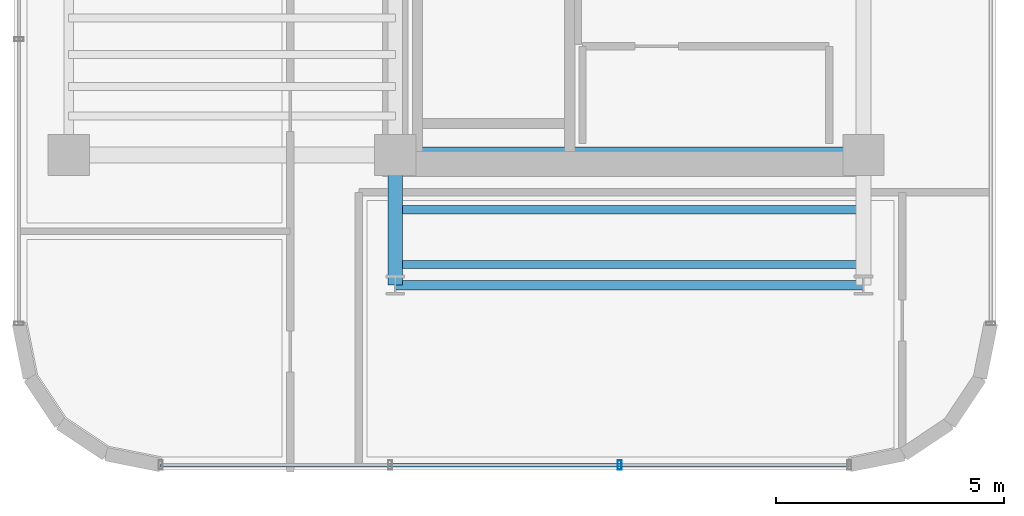
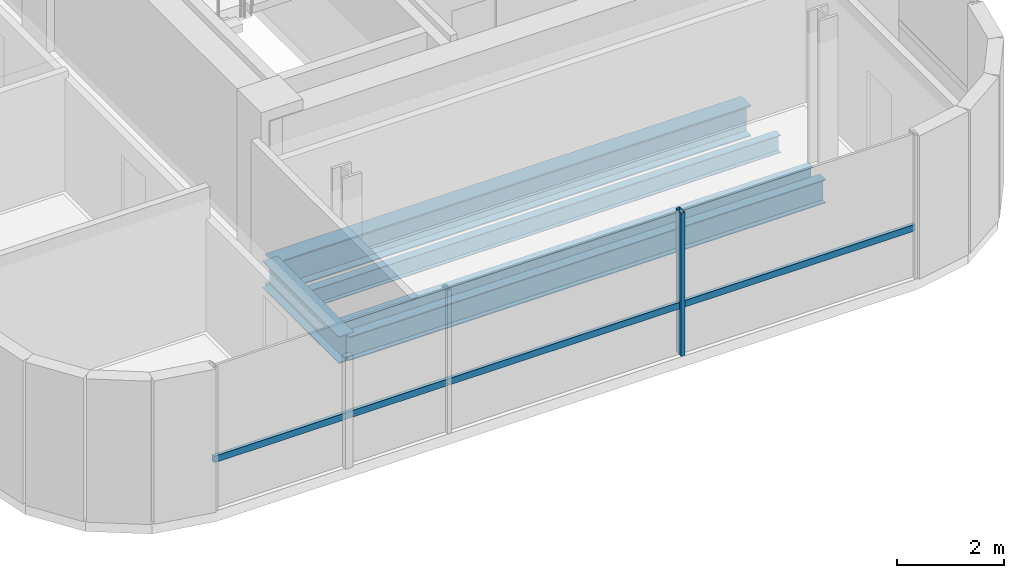
# One storey, part 3 of 21: 5 beams, 2 members, 1 element without a shape of its own.
"""IFC4 building model written with IfcOpenShell, lengths in metres."""

from ifc_helpers import new_model, si_unit, direction, frame, origin, origin_2d, place, context, subcontext, project, spatial, hollow_rectangle, i_section, extrude, source, transform, mapped, material, material_profile, profile_set, type_object, element, aggregate, save


model = new_model("IFC4")

# Units and contexts
model_context = context("Model", 3, precision=1e-05, world=origin(), true_north=direction((0.0, 1.0)))
body_context = subcontext(model_context, "Body", "Model", "MODEL_VIEW")
ifc_project = project(units=[si_unit("LENGTHUNIT", "METRE"), si_unit("AREAUNIT", "SQUARE_METRE"), si_unit("VOLUMEUNIT", "CUBIC_METRE"), si_unit("PLANEANGLEUNIT", "RADIAN"), si_unit("MASSUNIT", "GRAM", prefix="KILO")], contexts=[model_context])

# Site, building, storey
site_placement = place(None, origin())
site = spatial("IfcSite", under=ifc_project, at=site_placement, CompositionType="ELEMENT")
building_placement = place(site_placement, origin())
building = spatial("IfcBuilding", under=site, at=building_placement, Name="Valdorenza Pilgrim Sanctuary Tower", CompositionType="ELEMENT")
storey_placement = place(building_placement, frame((0.0, 0.0, 219.5)))
storey = spatial("IfcBuildingStorey", under=building, at=storey_placement, Name="L56", CompositionType="ELEMENT", Elevation=219.5)

# Beams
ifc_material_1 = material(Name="Steel ASTM A992 Grade 50", Category="steel")
ifc_material_profile_1 = material_profile(ifc_material_1, i_section(OverallWidth=0.323974609375, OverallDepth=0.611083984375, WebThickness=0.0126953125, FlangeThickness=0.01904296875, at=origin_2d()), Name="W24X104")
ifc_profile_set_1 = profile_set([ifc_material_profile_1], Name="Steel ASTM A992 Grade 50")
beam_type_1 = type_object("IfcBeamType", Name="STR-BM-GRD-W24B", PredefinedType="BEAM", material=ifc_profile_set_1)
shared_shape_1 = source(origin(), body_context, "Body", "SweptSolid", [
    extrude(i_section(OverallWidth=0.323974609375, OverallDepth=0.611083984375, WebThickness=0.0126953125, FlangeThickness=0.01904296875, at=origin_2d()), origin(), (0.0, 0.0, 1.0), 2.849853515625),
])
beam_1_placement = place(storey_placement, frame((-22.64990234375, -13.449951171875, -0.54541015625), z_axis=(0.0, 1.0, 0.0), x_axis=(-1.0, 0.0, 0.0)))
element("IfcBeam", 1, at=beam_1_placement, inside=storey, type_object=beam_type_1, Name="L56 Floor Girder WA-S-LW", PredefinedType="BEAM", context=body_context, shape_type="MappedRepresentation", body=[
    mapped(shared_shape_1, transform((0.0, 0.0, 0.0), x_axis=(1.0, 0.0, 0.0), y_axis=(0.0, 1.0, 0.0), z_axis=(0.0, 0.0, 1.0), scale=1.0)),
])
ifc_material_profile_2 = material_profile(ifc_material_1, i_section(OverallWidth=0.2109375, OverallDepth=0.5390625, WebThickness=0.01171875, FlangeThickness=0.018798828125, at=origin_2d()), Name="W21X73")
ifc_profile_set_2 = profile_set([ifc_material_profile_2], Name="Steel ASTM A992 Grade 50")
beam_type_2 = type_object("IfcBeamType", Name="STR-BM-SPN-W21B", PredefinedType="SPANDREL", material=ifc_profile_set_2)
shared_shape_2 = source(origin(), body_context, "Body", "SweptSolid", [
    extrude(i_section(OverallWidth=0.2109375, OverallDepth=0.5390625, WebThickness=0.01171875, FlangeThickness=0.018798828125, at=origin_2d()), origin(), (0.0, 0.0, 1.0), 10.25),
])
beam_2_placement = place(storey_placement, frame((-22.64990234375, -13.449951171875, -0.509521484375), z_axis=(1.0, 0.0, 0.0), x_axis=(0.0, 1.0, 0.0)))
element("IfcBeam", 2, at=beam_2_placement, inside=storey, type_object=beam_type_2, Name="L56 South Spandrel WA-S-TIE", PredefinedType="SPANDREL", context=body_context, shape_type="MappedRepresentation", body=[
    mapped(shared_shape_2, transform((0.0, 0.0, 0.0), x_axis=(1.0, 0.0, 0.0), y_axis=(0.0, 1.0, 0.0), z_axis=(0.0, 0.0, 1.0), scale=1.0)),
])
ifc_material_profile_3 = material_profile(ifc_material_1, i_section(OverallWidth=0.35595703125, OverallDepth=0.700927734375, WebThickness=0.016845703125, FlangeThickness=0.02734375, at=origin_2d()), Name="W27X161")
ifc_profile_set_3 = profile_set([ifc_material_profile_3], Name="Steel ASTM A992 Grade 50")
beam_type_3 = type_object("IfcBeamType", Name="STR-BM-GRD-W27", PredefinedType="BEAM", material=ifc_profile_set_3)
shared_shape_3 = source(origin(), body_context, "Body", "SweptSolid", [
    extrude(i_section(OverallWidth=0.35595703125, OverallDepth=0.700927734375, WebThickness=0.016845703125, FlangeThickness=0.02734375, at=origin_2d()), origin(), (0.0, 0.0, 1.0), 10.25),
])
beam_3_placement = place(storey_placement, frame((-22.64990234375, -10.60009765625, -0.590576171875), z_axis=(1.0, 0.0, 0.0), x_axis=(0.0, 1.0, 0.0)))
element("IfcBeam", 3, at=beam_3_placement, inside=storey, type_object=beam_type_3, Name="L56 Floor Girder CA-XC-S1", PredefinedType="BEAM", context=body_context, shape_type="MappedRepresentation", body=[
    mapped(shared_shape_3, transform((0.0, 0.0, 0.0), x_axis=(1.0, 0.0, 0.0), y_axis=(0.0, 1.0, 0.0), z_axis=(0.0, 0.0, 1.0), scale=1.0)),
])
ifc_material_profile_4 = material_profile(ifc_material_1, i_section(OverallWidth=0.177978515625, OverallDepth=0.406005859375, WebThickness=0.0078125, FlangeThickness=0.0126953125, at=origin_2d()), Name="W16X40")
ifc_profile_set_4 = profile_set([ifc_material_profile_4], Name="Steel ASTM A992 Grade 50")
beam_type_4 = type_object("IfcBeamType", Name="STR-BM-JST-W16", PredefinedType="JOIST", material=ifc_profile_set_4)
shared_shape_4 = source(origin(), body_context, "Body", "SweptSolid", [
    extrude(i_section(OverallWidth=0.177978515625, OverallDepth=0.406005859375, WebThickness=0.0078125, FlangeThickness=0.0126953125, at=origin_2d()), origin(), (0.0, 0.0, 1.0), 10.25),
])
for number, where, z_axis, x_axis, name in (
    (4, (-22.64990234375, -13.0, -0.443115234375), (1.0, 0.0, 0.0), (0.0, 1.0, 0.0), "L56 Composite Floor Joist JST-WAS-1"),
    (5, (-22.64990234375, -11.800048828125, -0.443115234375), (1.0, 0.0, 0.0), (0.0, 1.0, 0.0), "L56 Composite Floor Joist JST-WAS-2"),
):
    element("IfcBeam", number, at=place(storey_placement, frame(where, z_axis=z_axis, x_axis=x_axis)), inside=storey, type_object=beam_type_4, Name=name, PredefinedType="JOIST", context=body_context, shape_type="MappedRepresentation", body=[
        mapped(shared_shape_4, transform((0.0, 0.0, 0.0), x_axis=(1.0, 0.0, 0.0), y_axis=(0.0, 1.0, 0.0), z_axis=(0.0, 0.0, 1.0), scale=1.0)),
    ])

# Curtain wall, members
ifc_material_2 = material(Name="Curtain-wall IGU glazing", Category="glass")
curtain_wall_type = type_object("IfcCurtainWallType", Name="CW-SYS-02", PredefinedType="NOTDEFINED", material=ifc_material_2)
curtain_wall_placement = place(storey_placement, origin())
curtain_wall = element("IfcCurtainWall", 6, at=curtain_wall_placement, inside=storey, type_object=curtain_wall_type, Name="L56 Curtain Wall CW-L56-1-26", PredefinedType="NOTDEFINED")
ifc_material_3 = material(Name="Anodised aluminium AW-6060", Category="aluminium")
ifc_material_profile_5 = material_profile(ifc_material_3, hollow_rectangle(XDim=0.074951171875, YDim=0.14990234375, WallThickness=0.00390625, at=origin_2d()), Name="ALU-T 150x75x4")
ifc_profile_set_5 = profile_set([ifc_material_profile_5], Name="Anodised aluminium AW-6060")
member_type_1 = type_object("IfcMemberType", Name="CW-TRN-02", PredefinedType="USERDEFINED", material=ifc_profile_set_5)
shared_shape_5 = source(origin(), body_context, "Body", "SweptSolid", [
    extrude(hollow_rectangle(XDim=0.074951171875, YDim=0.14990234375, WallThickness=0.00390625, at=origin_2d()), origin(), (0.0, 0.0, 1.0), 15.07861328125),
])
member_1_placement = place(storey_placement, frame((-12.710693359375, -17.389892578125, 1.1201171875), z_axis=(-1.0, 0.0, 0.0), x_axis=(0.0, -1.0, 0.0)))
member_1 = element("IfcMember", 7, at=member_1_placement, type_object=member_type_1, Name="CW-L56-1-26 Transom 1", ObjectType="TRANSOM", PredefinedType="USERDEFINED", context=body_context, shape_type="MappedRepresentation", body=[
    mapped(shared_shape_5, transform((0.0, 0.0, 0.0), x_axis=(1.0, 0.0, 0.0), y_axis=(0.0, 1.0, 0.0), z_axis=(0.0, 0.0, 1.0), scale=1.0)),
])
ifc_material_profile_6 = material_profile(ifc_material_3, hollow_rectangle(XDim=0.0849609375, YDim=0.199951171875, WallThickness=0.0048828125, at=origin_2d()), Name="ALU-M 200x85x5")
ifc_profile_set_6 = profile_set([ifc_material_profile_6], Name="Anodised aluminium AW-6060")
member_type_2 = type_object("IfcMemberType", Name="CW-MUL-02", PredefinedType="MULLION", material=ifc_profile_set_6)
shared_shape_6 = source(origin(), body_context, "Body", "SweptSolid", [
    extrude(hollow_rectangle(XDim=0.0849609375, YDim=0.199951171875, WallThickness=0.0048828125, at=origin_2d()), origin(), (0.0, 0.0, 1.0), 3.260009765625),
])
member_2_placement = place(storey_placement, frame((-17.73681640625, -17.389892578125, 0.0), z_axis=(0.0, 0.0, 1.0), x_axis=(-1.0, 0.0, 0.0)))
member_2 = element("IfcMember", 8, at=member_2_placement, type_object=member_type_2, Name="CW-L56-1-26 Mullion 2", PredefinedType="MULLION", context=body_context, shape_type="MappedRepresentation", body=[
    mapped(shared_shape_6, transform((0.0, 0.0, 0.0), x_axis=(1.0, 0.0, 0.0), y_axis=(0.0, 1.0, 0.0), z_axis=(0.0, 0.0, 1.0), scale=1.0)),
])
aggregate(curtain_wall, [member_2, member_1])

save(model, "model.ifc")
